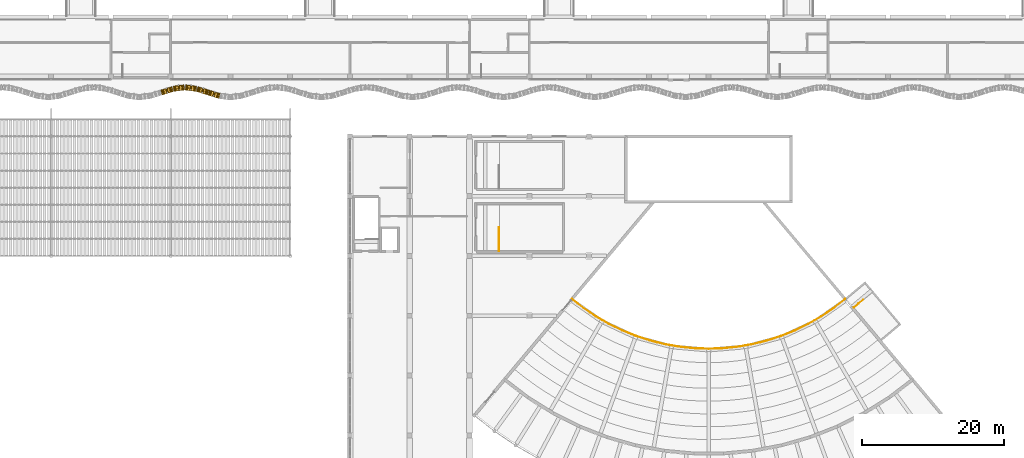
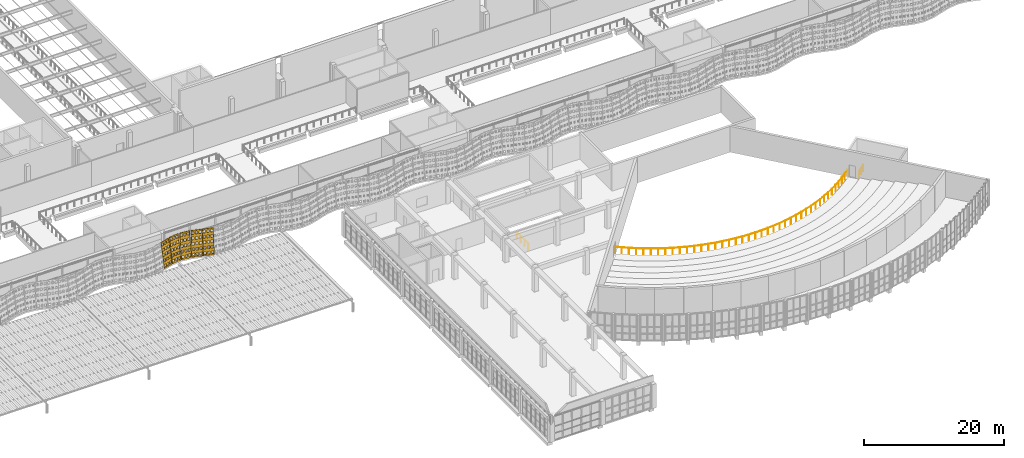
# One storey, part 142 of 162: 5 coverings, 3 railings.
"""IFC4 building model written with IfcOpenShell, lengths in metres."""

from ifc_helpers import new_model, si_unit, direction, frame, origin, origin_2d, place, context, subcontext, project, spatial, polyline, circle, outline, extrude, material, layer, layer_set, type_object, element, save


model = new_model("IFC4")

# Units and contexts
model_context = context("Model", 3, precision=1e-05, world=origin(), true_north=direction((0.0, 1.0)))
body_context = subcontext(model_context, "Body", "Model", "MODEL_VIEW")
ifc_project = project(units=[si_unit("LENGTHUNIT", "METRE"), si_unit("AREAUNIT", "SQUARE_METRE"), si_unit("VOLUMEUNIT", "CUBIC_METRE"), si_unit("PLANEANGLEUNIT", "RADIAN"), si_unit("MASSUNIT", "GRAM", prefix="KILO")], contexts=[model_context])

# Site, building, storey
site_placement = place(None, origin())
site = spatial("IfcSite", under=ifc_project, at=site_placement, CompositionType="ELEMENT")
building_placement = place(site_placement, origin())
building = spatial("IfcBuilding", under=site, at=building_placement, Name="Rain Tree Exposition and Congress Centre", CompositionType="ELEMENT")
storey_placement = place(building_placement, frame((0.0, 0.0, 6.0)))
storey = spatial("IfcBuildingStorey", under=building, at=storey_placement, Name="L01", CompositionType="ELEMENT", Elevation=6.0)

# Railings
ifc_material_1 = material(Name="Steel S355J2H", Category="steel")
railing_type = type_object("IfcRailingType", Name="Steel guard 1100", PredefinedType="GUARDRAIL", material=ifc_material_1)
railing_1_placement = place(storey_placement, frame((182.412841796875, 44.33349609375, 0.0)))
element("IfcRailing", 1, at=railing_1_placement, inside=storey, type_object=railing_type, Name="Balcony front guard", PredefinedType="GUARDRAIL", context=body_context, shape_type="SweptSolid", body=[
    extrude(circle(Radius=0.02392578125, at=origin_2d()), frame((0.0, 0.0, 1.076171875), z_axis=(0.788019044213, -0.615650863687, 0.0), x_axis=(0.615650863687, 0.788019044213, 0.0)), (0.0, 0.0, 1.0), 2.08349609375),
    extrude(circle(Radius=0.02392578125, at=origin_2d()), frame((1.641845703125, -1.28271484375, 1.076171875), z_axis=(0.82904559913, -0.559181003399, 0.0), x_axis=(0.559181003399, 0.82904559913, 0.0)), (0.0, 0.0, 1.0), 2.08349609375),
    extrude(circle(Radius=0.02392578125, at=origin_2d()), frame((3.369140625, -2.44775390625, 1.076171875), z_axis=(0.866006044095, -0.500033530467, 0.0), x_axis=(0.500033530467, 0.866006044095, 0.0)), (0.0, 0.0, 1.0), 2.083251953125),
    extrude(circle(Radius=0.02392578125, at=origin_2d()), frame((5.17333984375, -3.489501953125, 1.076171875), z_axis=(0.898812358833, -0.438333598539, 0.0), x_axis=(0.438333598539, 0.898812358833, 0.0)), (0.0, 0.0, 1.0), 2.083740234375),
    extrude(circle(Radius=0.02392578125, at=origin_2d()), frame((7.046142578125, -4.40283203125, 1.076171875), z_axis=(0.927169832077, -0.374641298426, 0.0), x_axis=(0.374641298426, 0.927169832077, 0.0)), (0.0, 0.0, 1.0), 2.083251953125),
    extrude(circle(Radius=0.02392578125, at=origin_2d()), frame((8.977783203125, -5.183349609375, 1.076171875), z_axis=(0.951069365886, -0.308977444603, 0.0), x_axis=(0.308977444603, 0.951069365886, 0.0)), (0.0, 0.0, 1.0), 2.083740234375),
    extrude(circle(Radius=0.02392578125, at=origin_2d()), frame((10.95947265625, -5.8271484375, 1.076171875), z_axis=(0.970280206475, -0.24198413362, 0.0), x_axis=(0.24198413362, 0.970280206475, 0.0)), (0.0, 0.0, 1.0), 2.08349609375),
    extrude(circle(Radius=0.02392578125, at=origin_2d()), frame((12.98095703125, -6.331298828125, 1.076171875), z_axis=(0.984808319514, -0.173644964845, 0.0), x_axis=(0.173644964845, 0.984808319514, 0.0)), (0.0, 0.0, 1.0), 2.083740234375),
    extrude(circle(Radius=0.02392578125, at=origin_2d()), frame((15.032958984375, -6.693115234375, 1.076171875), z_axis=(0.994522134672, -0.104526186418, 0.0), x_axis=(0.104526186418, 0.994522134672, 0.0)), (0.0, 0.0, 1.0), 2.08349609375),
    extrude(circle(Radius=0.02392578125, at=origin_2d()), frame((17.10498046875, -6.910888671875, 1.076171875), z_axis=(0.999394252089, -0.034801277157, 0.0), x_axis=(0.034801277157, 0.999394252089, 0.0)), (0.0, 0.0, 1.0), 2.08349609375),
    extrude(circle(Radius=0.02392578125, at=origin_2d()), frame((19.187255859375, -6.9833984375, 1.076171875), z_axis=(0.999394110149, 0.034805353039, 0.0), x_axis=(-0.034805353039, 0.999394110149, 0.0)), (0.0, 0.0, 1.0), 2.083251953125),
    extrude(circle(Radius=0.02392578125, at=origin_2d()), frame((21.269287109375, -6.910888671875, 1.076171875), z_axis=(0.994523414745, 0.104514006356, 0.0), x_axis=(-0.104514006356, 0.994523414745, 0.0)), (0.0, 0.0, 1.0), 2.083740234375),
    extrude(circle(Radius=0.02392578125, at=origin_2d()), frame((23.341552734375, -6.693115234375, 1.076171875), z_axis=(0.984804785945, 0.173665003899, 0.0), x_axis=(-0.173665003899, 0.984804785945, 0.0)), (0.0, 0.0, 1.0), 2.08349609375),
    extrude(circle(Radius=0.02392578125, at=origin_2d()), frame((25.393310546875, -6.331298828125, 1.076171875), z_axis=(0.970287067145, 0.24195662283, 0.0), x_axis=(-0.24195662283, 0.970287067145, 0.0)), (0.0, 0.0, 1.0), 2.083740234375),
    extrude(circle(Radius=0.02392578125, at=origin_2d()), frame((27.4150390625, -5.8271484375, 1.076171875), z_axis=(0.951058178135, 0.309011879712, 0.0), x_axis=(-0.309011879712, 0.951058178135, 0.0)), (0.0, 0.0, 1.0), 2.08349609375),
    extrude(circle(Radius=0.02392578125, at=origin_2d()), frame((29.396484375, -5.183349609375, 1.076171875), z_axis=(0.927186277064, 0.374600597469, 0.0), x_axis=(-0.374600597469, 0.927186277064, 0.0)), (0.0, 0.0, 1.0), 2.08349609375),
    extrude(circle(Radius=0.02392578125, at=origin_2d()), frame((31.328369140625, -4.40283203125, 1.076171875), z_axis=(0.898789842629, 0.438379765486, 0.0), x_axis=(-0.438379765486, 0.898789842629, 0.0)), (0.0, 0.0, 1.0), 2.08349609375),
    extrude(circle(Radius=0.02392578125, at=origin_2d()), frame((33.200927734375, -3.489501953125, 1.076171875), z_axis=(0.866035340115, 0.499982789375, 0.0), x_axis=(-0.499982789375, 0.866035340115, 0.0)), (0.0, 0.0, 1.0), 2.08349609375),
    extrude(circle(Radius=0.02392578125, at=origin_2d()), frame((35.00537109375, -2.44775390625, 1.076171875), z_axis=(0.82904559913, 0.559181003399, 0.0), x_axis=(-0.559181003399, 0.82904559913, 0.0)), (0.0, 0.0, 1.0), 2.08349609375),
    extrude(circle(Radius=0.02392578125, at=origin_2d()), frame((36.732666015625, -1.28271484375, 1.076171875), z_axis=(0.787974624723, 0.615707715392, 0.0), x_axis=(-0.615707715392, 0.787974624723, 0.0)), (0.0, 0.0, 1.0), 2.083251953125),
    extrude(circle(Radius=0.02099609375, at=origin_2d()), origin(), (0.0, 0.0, 1.0), 1.052001953125),
    extrude(circle(Radius=0.02099609375, at=origin_2d()), frame((0.82080078125, -0.641357421875, 0.0)), (0.0, 0.0, 1.0), 1.052001953125),
    extrude(circle(Radius=0.02099609375, at=origin_2d()), frame((1.641845703125, -1.28271484375, 0.0)), (0.0, 0.0, 1.0), 1.052001953125),
    extrude(circle(Radius=0.02099609375, at=origin_2d()), frame((2.50537109375, -1.865234375, 0.0)), (0.0, 0.0, 1.0), 1.052001953125),
    extrude(circle(Radius=0.02099609375, at=origin_2d()), frame((3.369140625, -2.44775390625, 0.0)), (0.0, 0.0, 1.0), 1.052001953125),
    extrude(circle(Radius=0.02099609375, at=origin_2d()), frame((4.271240234375, -2.96875, 0.0)), (0.0, 0.0, 1.0), 1.052001953125),
    extrude(circle(Radius=0.02099609375, at=origin_2d()), frame((5.17333984375, -3.489501953125, 0.0)), (0.0, 0.0, 1.0), 1.052001953125),
    extrude(circle(Radius=0.02099609375, at=origin_2d()), frame((6.10986328125, -3.9462890625, 0.0)), (0.0, 0.0, 1.0), 1.052001953125),
    extrude(circle(Radius=0.02099609375, at=origin_2d()), frame((7.046142578125, -4.40283203125, 0.0)), (0.0, 0.0, 1.0), 1.052001953125),
    extrude(circle(Radius=0.02099609375, at=origin_2d()), frame((8.011962890625, -4.79296875, 0.0)), (0.0, 0.0, 1.0), 1.052001953125),
    extrude(circle(Radius=0.02099609375, at=origin_2d()), frame((8.977783203125, -5.183349609375, 0.0)), (0.0, 0.0, 1.0), 1.052001953125),
    extrude(circle(Radius=0.02099609375, at=origin_2d()), frame((9.96875, -5.50537109375, 0.0)), (0.0, 0.0, 1.0), 1.052001953125),
    extrude(circle(Radius=0.02099609375, at=origin_2d()), frame((10.95947265625, -5.8271484375, 0.0)), (0.0, 0.0, 1.0), 1.052001953125),
    extrude(circle(Radius=0.02099609375, at=origin_2d()), frame((11.97021484375, -6.0791015625, 0.0)), (0.0, 0.0, 1.0), 1.052001953125),
    extrude(circle(Radius=0.02099609375, at=origin_2d()), frame((12.98095703125, -6.331298828125, 0.0)), (0.0, 0.0, 1.0), 1.052001953125),
    extrude(circle(Radius=0.02099609375, at=origin_2d()), frame((14.0068359375, -6.51220703125, 0.0)), (0.0, 0.0, 1.0), 1.052001953125),
    extrude(circle(Radius=0.02099609375, at=origin_2d()), frame((15.032958984375, -6.693115234375, 0.0)), (0.0, 0.0, 1.0), 1.052001953125),
    extrude(circle(Radius=0.02099609375, at=origin_2d()), frame((16.06884765625, -6.802001953125, 0.0)), (0.0, 0.0, 1.0), 1.052001953125),
    extrude(circle(Radius=0.02099609375, at=origin_2d()), frame((17.10498046875, -6.910888671875, 0.0)), (0.0, 0.0, 1.0), 1.052001953125),
    extrude(circle(Radius=0.02099609375, at=origin_2d()), frame((18.14599609375, -6.947265625, 0.0)), (0.0, 0.0, 1.0), 1.052001953125),
    extrude(circle(Radius=0.02099609375, at=origin_2d()), frame((19.187255859375, -6.9833984375, 0.0)), (0.0, 0.0, 1.0), 1.052001953125),
    extrude(circle(Radius=0.02099609375, at=origin_2d()), frame((20.228271484375, -6.947265625, 0.0)), (0.0, 0.0, 1.0), 1.052001953125),
    extrude(circle(Radius=0.02099609375, at=origin_2d()), frame((21.269287109375, -6.910888671875, 0.0)), (0.0, 0.0, 1.0), 1.052001953125),
    extrude(circle(Radius=0.02099609375, at=origin_2d()), frame((22.305419921875, -6.802001953125, 0.0)), (0.0, 0.0, 1.0), 1.052001953125),
    extrude(circle(Radius=0.02099609375, at=origin_2d()), frame((23.341552734375, -6.693115234375, 0.0)), (0.0, 0.0, 1.0), 1.052001953125),
    extrude(circle(Radius=0.02099609375, at=origin_2d()), frame((24.367431640625, -6.51220703125, 0.0)), (0.0, 0.0, 1.0), 1.052001953125),
    extrude(circle(Radius=0.02099609375, at=origin_2d()), frame((25.393310546875, -6.331298828125, 0.0)), (0.0, 0.0, 1.0), 1.052001953125),
    extrude(circle(Radius=0.02099609375, at=origin_2d()), frame((26.404296875, -6.0791015625, 0.0)), (0.0, 0.0, 1.0), 1.052001953125),
    extrude(circle(Radius=0.02099609375, at=origin_2d()), frame((27.4150390625, -5.8271484375, 0.0)), (0.0, 0.0, 1.0), 1.052001953125),
    extrude(circle(Radius=0.02099609375, at=origin_2d()), frame((28.40576171875, -5.50537109375, 0.0)), (0.0, 0.0, 1.0), 1.052001953125),
    extrude(circle(Radius=0.02099609375, at=origin_2d()), frame((29.396484375, -5.183349609375, 0.0)), (0.0, 0.0, 1.0), 1.052001953125),
    extrude(circle(Radius=0.02099609375, at=origin_2d()), frame((30.3623046875, -4.79296875, 0.0)), (0.0, 0.0, 1.0), 1.052001953125),
    extrude(circle(Radius=0.02099609375, at=origin_2d()), frame((31.328369140625, -4.40283203125, 0.0)), (0.0, 0.0, 1.0), 1.052001953125),
    extrude(circle(Radius=0.02099609375, at=origin_2d()), frame((32.2646484375, -3.9462890625, 0.0)), (0.0, 0.0, 1.0), 1.052001953125),
    extrude(circle(Radius=0.02099609375, at=origin_2d()), frame((33.200927734375, -3.489501953125, 0.0)), (0.0, 0.0, 1.0), 1.052001953125),
    extrude(circle(Radius=0.02099609375, at=origin_2d()), frame((34.10302734375, -2.96875, 0.0)), (0.0, 0.0, 1.0), 1.052001953125),
    extrude(circle(Radius=0.02099609375, at=origin_2d()), frame((35.00537109375, -2.44775390625, 0.0)), (0.0, 0.0, 1.0), 1.052001953125),
    extrude(circle(Radius=0.02099609375, at=origin_2d()), frame((35.869140625, -1.865234375, 0.0)), (0.0, 0.0, 1.0), 1.052001953125),
    extrude(circle(Radius=0.02099609375, at=origin_2d()), frame((36.732666015625, -1.28271484375, 0.0)), (0.0, 0.0, 1.0), 1.052001953125),
    extrude(circle(Radius=0.02099609375, at=origin_2d()), frame((37.553466796875, -0.641357421875, 0.0)), (0.0, 0.0, 1.0), 1.052001953125),
    extrude(circle(Radius=0.02099609375, at=origin_2d()), frame((38.374267578125, 0.0, 0.0)), (0.0, 0.0, 1.0), 1.052001953125),
])
railing_2_placement = place(storey_placement, frame((222.033203125, 43.159912109375, 0.0)))
element("IfcRailing", 2, at=railing_2_placement, inside=storey, type_object=railing_type, Name="L01 ST-G2 top well guard 1", PredefinedType="GUARDRAIL", context=body_context, shape_type="SweptSolid", body=[
    extrude(circle(Radius=0.02392578125, at=origin_2d()), frame((0.0, 0.0, 1.076171875), z_axis=(0.766027289654, 0.642808051836, 0.0), x_axis=(-0.642808051836, 0.766027289654, 0.0)), (0.0, 0.0, 1.0), 1.699951171875),
    extrude(circle(Radius=0.02099609375, at=origin_2d()), origin(), (0.0, 0.0, 1.0), 1.052001953125),
    extrude(circle(Radius=0.02099609375, at=origin_2d()), frame((0.651123046875, 0.54638671875, 0.0)), (0.0, 0.0, 1.0), 1.052001953125),
    extrude(circle(Radius=0.02099609375, at=origin_2d()), frame((1.30224609375, 1.0927734375, 0.0)), (0.0, 0.0, 1.0), 1.052001953125),
])
railing_3_placement = place(storey_placement, frame((172.14990234375, 51.10009765625, 0.0)))
element("IfcRailing", 3, at=railing_3_placement, inside=storey, type_object=railing_type, Name="L01 ST-G3 top well guard 1", PredefinedType="GUARDRAIL", context=body_context, shape_type="SweptSolid", body=[
    extrude(circle(Radius=0.02392578125, at=origin_2d()), frame((0.0, 0.0, 1.076171875), z_axis=(0.0, 1.0, 0.0), x_axis=(-1.0, 0.0, 0.0)), (0.0, 0.0, 1.0), 3.2998046875),
    extrude(circle(Radius=0.02099609375, at=origin_2d()), origin(), (0.0, 0.0, 1.0), 1.052001953125),
    extrude(circle(Radius=0.02099609375, at=origin_2d()), frame((0.0, 1.099853515625, 0.0)), (0.0, 0.0, 1.0), 1.052001953125),
    extrude(circle(Radius=0.02099609375, at=origin_2d()), frame((0.0, 2.199951171875, 0.0)), (0.0, 0.0, 1.0), 1.052001953125),
    extrude(circle(Radius=0.02099609375, at=origin_2d()), frame((0.0, 3.2998046875, 0.0)), (0.0, 0.0, 1.0), 1.052001953125),
])

# Coverings
ifc_material_2 = material(Name="Perforated terracotta", Category="masonry")
ifc_layer = layer(ifc_material_2, 0.080078125)
ifc_layer_set = layer_set([ifc_layer], Name="Perforated terracotta")
covering_type = type_object("IfcCoveringType", Name="Terracotta screen 80", PredefinedType="CLADDING", material=ifc_layer_set)
covering_1_placement = place(storey_placement, frame((124.79931640625, 73.001708984375, 0.0126953125), z_axis=(-0.290138898064, 0.943714942124, -0.158812870519), x_axis=(-0.955845867297, -0.293868470528, 0.0)))
element("IfcCovering", 4, at=covering_1_placement, inside=storey, type_object=covering_type, Name="concourse/screen/L01/079", PredefinedType="CLADDING", context=body_context, shape_type="SweptSolid", body=[
    extrude(outline(polyline([(-1.659912109375, 0.0), (-1.659912109375, 4.29150390625), (-0.014892578125, 4.29150390625), (-0.014892578125, 0.0), (-1.659912109375, 0.0)]), holes=[polyline([(-0.119140625, 0.221435546875), (-0.119140625, 0.63671875), (-0.458984375, 0.63671875), (-0.458984375, 0.221435546875), (-0.119140625, 0.221435546875)]), polyline([(-0.119140625, 1.079833984375), (-0.119140625, 1.4951171875), (-0.458984375, 1.4951171875), (-0.458984375, 1.079833984375), (-0.119140625, 1.079833984375)]), polyline([(-0.119140625, 1.93798828125), (-0.119140625, 2.353271484375), (-0.458984375, 2.353271484375), (-0.458984375, 1.93798828125), (-0.119140625, 1.93798828125)]), polyline([(-0.119140625, 2.79638671875), (-0.119140625, 3.211669921875), (-0.458984375, 3.211669921875), (-0.458984375, 2.79638671875), (-0.119140625, 2.79638671875)]), polyline([(-0.119140625, 3.654541015625), (-0.119140625, 4.06982421875), (-0.458984375, 4.06982421875), (-0.458984375, 3.654541015625), (-0.119140625, 3.654541015625)]), polyline([(-0.66748046875, 0.221435546875), (-0.66748046875, 0.63671875), (-1.00732421875, 0.63671875), (-1.00732421875, 0.221435546875), (-0.66748046875, 0.221435546875)]), polyline([(-0.66748046875, 1.079833984375), (-0.66748046875, 1.4951171875), (-1.00732421875, 1.4951171875), (-1.00732421875, 1.079833984375), (-0.66748046875, 1.079833984375)]), polyline([(-0.66748046875, 1.93798828125), (-0.66748046875, 2.353271484375), (-1.00732421875, 2.353271484375), (-1.00732421875, 1.93798828125), (-0.66748046875, 1.93798828125)]), polyline([(-0.66748046875, 2.79638671875), (-0.66748046875, 3.211669921875), (-1.00732421875, 3.211669921875), (-1.00732421875, 2.79638671875), (-0.66748046875, 2.79638671875)]), polyline([(-0.66748046875, 3.654541015625), (-0.66748046875, 4.06982421875), (-1.00732421875, 4.06982421875), (-1.00732421875, 3.654541015625), (-0.66748046875, 3.654541015625)]), polyline([(-1.2158203125, 0.221435546875), (-1.2158203125, 0.63671875), (-1.5556640625, 0.63671875), (-1.5556640625, 0.221435546875), (-1.2158203125, 0.221435546875)]), polyline([(-1.2158203125, 1.079833984375), (-1.2158203125, 1.4951171875), (-1.5556640625, 1.4951171875), (-1.5556640625, 1.079833984375), (-1.2158203125, 1.079833984375)]), polyline([(-1.2158203125, 1.93798828125), (-1.2158203125, 2.353271484375), (-1.5556640625, 2.353271484375), (-1.5556640625, 1.93798828125), (-1.2158203125, 1.93798828125)]), polyline([(-1.2158203125, 2.79638671875), (-1.2158203125, 3.211669921875), (-1.5556640625, 3.211669921875), (-1.5556640625, 2.79638671875), (-1.2158203125, 2.79638671875)]), polyline([(-1.2158203125, 3.654541015625), (-1.2158203125, 4.06982421875), (-1.5556640625, 4.06982421875), (-1.5556640625, 3.654541015625), (-1.2158203125, 3.654541015625)])]), origin(), (0.0, 0.0, 1.0), 0.079833984375),
])
covering_2_placement = place(storey_placement, frame((126.399658203125, 73.496826171875, 0.01318359375), z_axis=(-0.124968640969, 0.978413018317, -0.164592844203), x_axis=(-0.991941518713, -0.126696580272, 0.0)))
element("IfcCovering", 5, at=covering_2_placement, inside=storey, type_object=covering_type, Name="concourse/screen/L01/080", PredefinedType="CLADDING", context=body_context, shape_type="SweptSolid", body=[
    extrude(outline(polyline([(-1.59814453125, 0.0), (-1.59814453125, 4.295166015625), (-0.014892578125, 4.295166015625), (-0.014892578125, 0.0), (-1.59814453125, 0.0)]), holes=[polyline([(-0.115234375, 0.2216796875), (-0.115234375, 0.63720703125), (-0.4423828125, 0.63720703125), (-0.4423828125, 0.2216796875), (-0.115234375, 0.2216796875)]), polyline([(-0.115234375, 1.080810546875), (-0.115234375, 1.496337890625), (-0.4423828125, 1.496337890625), (-0.4423828125, 1.080810546875), (-0.115234375, 1.080810546875)]), polyline([(-0.115234375, 1.939697265625), (-0.115234375, 2.35546875), (-0.4423828125, 2.35546875), (-0.4423828125, 1.939697265625), (-0.115234375, 1.939697265625)]), polyline([(-0.115234375, 2.798583984375), (-0.115234375, 3.21435546875), (-0.4423828125, 3.21435546875), (-0.4423828125, 2.798583984375), (-0.115234375, 2.798583984375)]), polyline([(-0.115234375, 3.65771484375), (-0.115234375, 4.073486328125), (-0.4423828125, 4.073486328125), (-0.4423828125, 3.65771484375), (-0.115234375, 3.65771484375)]), polyline([(-0.64306640625, 0.2216796875), (-0.64306640625, 0.63720703125), (-0.97021484375, 0.63720703125), (-0.97021484375, 0.2216796875), (-0.64306640625, 0.2216796875)]), polyline([(-0.64306640625, 1.080810546875), (-0.64306640625, 1.496337890625), (-0.97021484375, 1.496337890625), (-0.97021484375, 1.080810546875), (-0.64306640625, 1.080810546875)]), polyline([(-0.64306640625, 1.939697265625), (-0.64306640625, 2.35546875), (-0.97021484375, 2.35546875), (-0.97021484375, 1.939697265625), (-0.64306640625, 1.939697265625)]), polyline([(-0.64306640625, 2.798583984375), (-0.64306640625, 3.21435546875), (-0.97021484375, 3.21435546875), (-0.97021484375, 2.798583984375), (-0.64306640625, 2.798583984375)]), polyline([(-0.64306640625, 3.65771484375), (-0.64306640625, 4.073486328125), (-0.97021484375, 4.073486328125), (-0.97021484375, 3.65771484375), (-0.64306640625, 3.65771484375)]), polyline([(-1.170654296875, 0.2216796875), (-1.170654296875, 0.63720703125), (-1.497802734375, 0.63720703125), (-1.497802734375, 0.2216796875), (-1.170654296875, 0.2216796875)]), polyline([(-1.170654296875, 1.080810546875), (-1.170654296875, 1.496337890625), (-1.497802734375, 1.496337890625), (-1.497802734375, 1.080810546875), (-1.170654296875, 1.080810546875)]), polyline([(-1.170654296875, 1.939697265625), (-1.170654296875, 2.35546875), (-1.497802734375, 2.35546875), (-1.497802734375, 1.939697265625), (-1.170654296875, 1.939697265625)]), polyline([(-1.170654296875, 2.798583984375), (-1.170654296875, 3.21435546875), (-1.497802734375, 3.21435546875), (-1.497802734375, 2.798583984375), (-1.170654296875, 2.798583984375)]), polyline([(-1.170654296875, 3.65771484375), (-1.170654296875, 4.073486328125), (-1.497802734375, 4.073486328125), (-1.497802734375, 3.65771484375), (-1.170654296875, 3.65771484375)])]), origin(), (0.0, 0.0, 1.0), 0.080078125),
])
covering_3_placement = place(storey_placement, frame((128.000244140625, 73.701904296875, 0.01318359375), z_axis=(0.125342414455, 0.978282259159, -0.165085131233), x_axis=(-0.991891686382, 0.127086122318, 0.0)))
element("IfcCovering", 6, at=covering_3_placement, inside=storey, type_object=covering_type, Name="concourse/screen/L01/081", PredefinedType="CLADDING", context=body_context, shape_type="SweptSolid", body=[
    extrude(outline(polyline([(-1.59814453125, 0.0), (-1.59814453125, 4.295166015625), (-0.014892578125, 4.295166015625), (-0.014892578125, 0.0), (-1.59814453125, 0.0)]), holes=[polyline([(-0.115234375, 0.2216796875), (-0.115234375, 0.63720703125), (-0.4423828125, 0.63720703125), (-0.4423828125, 0.2216796875), (-0.115234375, 0.2216796875)]), polyline([(-0.115234375, 1.080810546875), (-0.115234375, 1.496337890625), (-0.4423828125, 1.496337890625), (-0.4423828125, 1.080810546875), (-0.115234375, 1.080810546875)]), polyline([(-0.115234375, 1.939697265625), (-0.115234375, 2.35546875), (-0.4423828125, 2.35546875), (-0.4423828125, 1.939697265625), (-0.115234375, 1.939697265625)]), polyline([(-0.115234375, 2.798583984375), (-0.115234375, 3.21435546875), (-0.4423828125, 3.21435546875), (-0.4423828125, 2.798583984375), (-0.115234375, 2.798583984375)]), polyline([(-0.115234375, 3.65771484375), (-0.115234375, 4.073486328125), (-0.4423828125, 4.073486328125), (-0.4423828125, 3.65771484375), (-0.115234375, 3.65771484375)]), polyline([(-0.64306640625, 0.2216796875), (-0.64306640625, 0.63720703125), (-0.97021484375, 0.63720703125), (-0.97021484375, 0.2216796875), (-0.64306640625, 0.2216796875)]), polyline([(-0.64306640625, 1.080810546875), (-0.64306640625, 1.496337890625), (-0.97021484375, 1.496337890625), (-0.97021484375, 1.080810546875), (-0.64306640625, 1.080810546875)]), polyline([(-0.64306640625, 1.939697265625), (-0.64306640625, 2.35546875), (-0.97021484375, 2.35546875), (-0.97021484375, 1.939697265625), (-0.64306640625, 1.939697265625)]), polyline([(-0.64306640625, 2.798583984375), (-0.64306640625, 3.21435546875), (-0.97021484375, 3.21435546875), (-0.97021484375, 2.798583984375), (-0.64306640625, 2.798583984375)]), polyline([(-0.64306640625, 3.65771484375), (-0.64306640625, 4.073486328125), (-0.97021484375, 4.073486328125), (-0.97021484375, 3.65771484375), (-0.64306640625, 3.65771484375)]), polyline([(-1.170654296875, 0.2216796875), (-1.170654296875, 0.63720703125), (-1.497802734375, 0.63720703125), (-1.497802734375, 0.2216796875), (-1.170654296875, 0.2216796875)]), polyline([(-1.170654296875, 1.080810546875), (-1.170654296875, 1.496337890625), (-1.497802734375, 1.496337890625), (-1.497802734375, 1.080810546875), (-1.170654296875, 1.080810546875)]), polyline([(-1.170654296875, 1.939697265625), (-1.170654296875, 2.35546875), (-1.497802734375, 2.35546875), (-1.497802734375, 1.939697265625), (-1.170654296875, 1.939697265625)]), polyline([(-1.170654296875, 2.798583984375), (-1.170654296875, 3.21435546875), (-1.497802734375, 3.21435546875), (-1.497802734375, 2.798583984375), (-1.170654296875, 2.798583984375)]), polyline([(-1.170654296875, 3.65771484375), (-1.170654296875, 4.073486328125), (-1.497802734375, 4.073486328125), (-1.497802734375, 3.65771484375), (-1.170654296875, 3.65771484375)])]), origin(), (0.0, 0.0, 1.0), 0.079833984375),
])
covering_4_placement = place(storey_placement, frame((129.6005859375, 73.49658203125, 0.0126953125), z_axis=(0.290138898064, 0.943714942124, -0.158812870519), x_axis=(-0.955845867297, 0.293868470528, 0.0)))
element("IfcCovering", 7, at=covering_4_placement, inside=storey, type_object=covering_type, Name="concourse/screen/L01/082", PredefinedType="CLADDING", context=body_context, shape_type="SweptSolid", body=[
    extrude(outline(polyline([(-1.659912109375, 0.0), (-1.659912109375, 4.29150390625), (-0.014892578125, 4.29150390625), (-0.014892578125, 0.0), (-1.659912109375, 0.0)]), holes=[polyline([(-0.119140625, 0.221435546875), (-0.119140625, 0.63671875), (-0.458984375, 0.63671875), (-0.458984375, 0.221435546875), (-0.119140625, 0.221435546875)]), polyline([(-0.119140625, 1.079833984375), (-0.119140625, 1.4951171875), (-0.458984375, 1.4951171875), (-0.458984375, 1.079833984375), (-0.119140625, 1.079833984375)]), polyline([(-0.119140625, 1.93798828125), (-0.119140625, 2.353271484375), (-0.458984375, 2.353271484375), (-0.458984375, 1.93798828125), (-0.119140625, 1.93798828125)]), polyline([(-0.119140625, 2.79638671875), (-0.119140625, 3.211669921875), (-0.458984375, 3.211669921875), (-0.458984375, 2.79638671875), (-0.119140625, 2.79638671875)]), polyline([(-0.119140625, 3.654541015625), (-0.119140625, 4.06982421875), (-0.458984375, 4.06982421875), (-0.458984375, 3.654541015625), (-0.119140625, 3.654541015625)]), polyline([(-0.66748046875, 0.221435546875), (-0.66748046875, 0.63671875), (-1.00732421875, 0.63671875), (-1.00732421875, 0.221435546875), (-0.66748046875, 0.221435546875)]), polyline([(-0.66748046875, 1.079833984375), (-0.66748046875, 1.4951171875), (-1.00732421875, 1.4951171875), (-1.00732421875, 1.079833984375), (-0.66748046875, 1.079833984375)]), polyline([(-0.66748046875, 1.93798828125), (-0.66748046875, 2.353271484375), (-1.00732421875, 2.353271484375), (-1.00732421875, 1.93798828125), (-0.66748046875, 1.93798828125)]), polyline([(-0.66748046875, 2.79638671875), (-0.66748046875, 3.211669921875), (-1.00732421875, 3.211669921875), (-1.00732421875, 2.79638671875), (-0.66748046875, 2.79638671875)]), polyline([(-0.66748046875, 3.654541015625), (-0.66748046875, 4.06982421875), (-1.00732421875, 4.06982421875), (-1.00732421875, 3.654541015625), (-0.66748046875, 3.654541015625)]), polyline([(-1.2158203125, 0.221435546875), (-1.2158203125, 0.63671875), (-1.5556640625, 0.63671875), (-1.5556640625, 0.221435546875), (-1.2158203125, 0.221435546875)]), polyline([(-1.2158203125, 1.079833984375), (-1.2158203125, 1.4951171875), (-1.5556640625, 1.4951171875), (-1.5556640625, 1.079833984375), (-1.2158203125, 1.079833984375)]), polyline([(-1.2158203125, 1.93798828125), (-1.2158203125, 2.353271484375), (-1.5556640625, 2.353271484375), (-1.5556640625, 1.93798828125), (-1.2158203125, 1.93798828125)]), polyline([(-1.2158203125, 2.79638671875), (-1.2158203125, 3.211669921875), (-1.5556640625, 3.211669921875), (-1.5556640625, 2.79638671875), (-1.2158203125, 2.79638671875)]), polyline([(-1.2158203125, 3.654541015625), (-1.2158203125, 4.06982421875), (-1.5556640625, 4.06982421875), (-1.5556640625, 3.654541015625), (-1.2158203125, 3.654541015625)])]), origin(), (0.0, 0.0, 1.0), 0.079833984375),
])
covering_5_placement = place(storey_placement, frame((131.20068359375, 73.001708984375, 0.0126953125), z_axis=(0.290138898064, 0.943714942124, -0.158812870519), x_axis=(-0.955845867297, 0.293868470528, 0.0)))
element("IfcCovering", 8, at=covering_5_placement, inside=storey, type_object=covering_type, Name="concourse/screen/L01/083", PredefinedType="CLADDING", context=body_context, shape_type="SweptSolid", body=[
    extrude(outline(polyline([(-1.65283203125, 0.0), (-1.65283203125, 4.29150390625), (-0.014892578125, 4.29150390625), (-0.014892578125, 0.0), (-1.65283203125, 0.0)]), holes=[polyline([(-0.11865234375, 0.221435546875), (-0.11865234375, 0.63671875), (-0.457275390625, 0.63671875), (-0.457275390625, 0.221435546875), (-0.11865234375, 0.221435546875)]), polyline([(-0.11865234375, 1.079833984375), (-0.11865234375, 1.4951171875), (-0.457275390625, 1.4951171875), (-0.457275390625, 1.079833984375), (-0.11865234375, 1.079833984375)]), polyline([(-0.11865234375, 1.93798828125), (-0.11865234375, 2.353271484375), (-0.457275390625, 2.353271484375), (-0.457275390625, 1.93798828125), (-0.11865234375, 1.93798828125)]), polyline([(-0.11865234375, 2.79638671875), (-0.11865234375, 3.211669921875), (-0.457275390625, 3.211669921875), (-0.457275390625, 2.79638671875), (-0.11865234375, 2.79638671875)]), polyline([(-0.11865234375, 3.654541015625), (-0.11865234375, 4.06982421875), (-0.457275390625, 4.06982421875), (-0.457275390625, 3.654541015625), (-0.11865234375, 3.654541015625)]), polyline([(-0.664794921875, 0.221435546875), (-0.664794921875, 0.63671875), (-1.003173828125, 0.63671875), (-1.003173828125, 0.221435546875), (-0.664794921875, 0.221435546875)]), polyline([(-0.664794921875, 1.079833984375), (-0.664794921875, 1.4951171875), (-1.003173828125, 1.4951171875), (-1.003173828125, 1.079833984375), (-0.664794921875, 1.079833984375)]), polyline([(-0.664794921875, 1.93798828125), (-0.664794921875, 2.353271484375), (-1.003173828125, 2.353271484375), (-1.003173828125, 1.93798828125), (-0.664794921875, 1.93798828125)]), polyline([(-0.664794921875, 2.79638671875), (-0.664794921875, 3.211669921875), (-1.003173828125, 3.211669921875), (-1.003173828125, 2.79638671875), (-0.664794921875, 2.79638671875)]), polyline([(-0.664794921875, 3.654541015625), (-0.664794921875, 4.06982421875), (-1.003173828125, 4.06982421875), (-1.003173828125, 3.654541015625), (-0.664794921875, 3.654541015625)]), polyline([(-1.210693359375, 0.221435546875), (-1.210693359375, 0.63671875), (-1.54931640625, 0.63671875), (-1.54931640625, 0.221435546875), (-1.210693359375, 0.221435546875)]), polyline([(-1.210693359375, 1.079833984375), (-1.210693359375, 1.4951171875), (-1.54931640625, 1.4951171875), (-1.54931640625, 1.079833984375), (-1.210693359375, 1.079833984375)]), polyline([(-1.210693359375, 1.93798828125), (-1.210693359375, 2.353271484375), (-1.54931640625, 2.353271484375), (-1.54931640625, 1.93798828125), (-1.210693359375, 1.93798828125)]), polyline([(-1.210693359375, 2.79638671875), (-1.210693359375, 3.211669921875), (-1.54931640625, 3.211669921875), (-1.54931640625, 2.79638671875), (-1.210693359375, 2.79638671875)]), polyline([(-1.210693359375, 3.654541015625), (-1.210693359375, 4.06982421875), (-1.54931640625, 4.06982421875), (-1.54931640625, 3.654541015625), (-1.210693359375, 3.654541015625)])]), origin(), (0.0, 0.0, 1.0), 0.079833984375),
])

save(model, "model.ifc")
